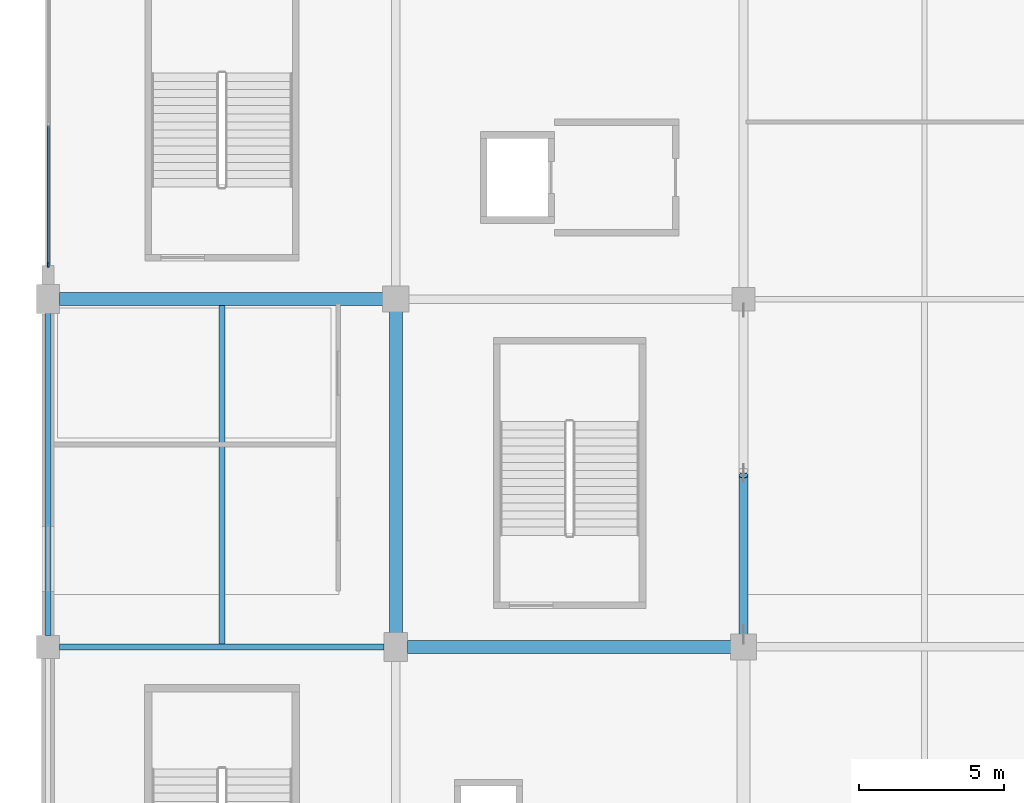
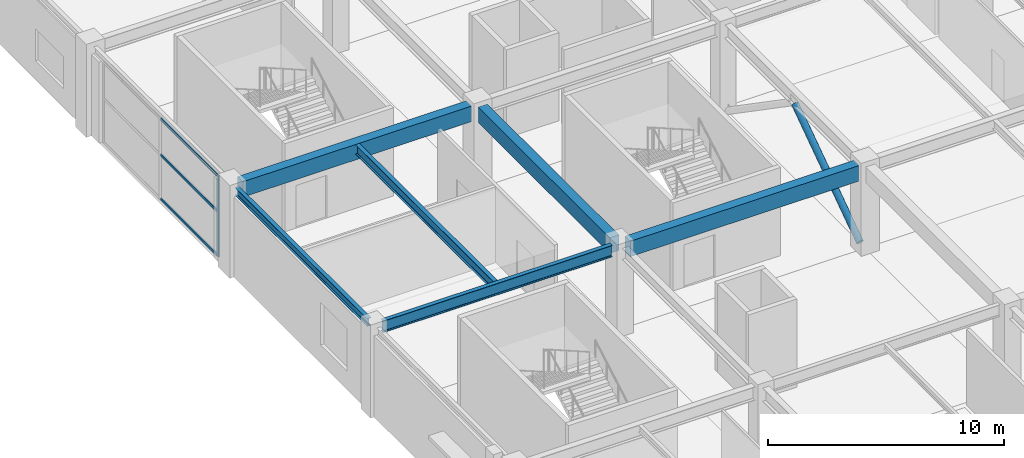
# One storey, part 21 of 134: 6 beams, 5 members, 1 element without a shape of its own.
"""IFC4 building model written with IfcOpenShell, lengths in metres."""

from ifc_helpers import new_model, si_unit, direction, frame, origin, origin_2d, place, context, subcontext, project, spatial, rectangle, hollow_circle, i_section, extrude, material, layer, layer_set, material_profile, profile_set, type_object, element, aggregate, save


model = new_model("IFC4")

# Units and contexts
model_context = context("Model", 3, precision=1e-05, world=origin(), true_north=direction((0.0, 1.0)))
body_context = subcontext(model_context, "Body", "Model", "MODEL_VIEW")
ifc_project = project(units=[si_unit("LENGTHUNIT", "METRE"), si_unit("AREAUNIT", "SQUARE_METRE"), si_unit("VOLUMEUNIT", "CUBIC_METRE"), si_unit("PLANEANGLEUNIT", "RADIAN"), si_unit("MASSUNIT", "GRAM", prefix="KILO")], contexts=[model_context])

# Site, building, storey
site_placement = place(None, origin())
site = spatial("IfcSite", under=ifc_project, at=site_placement, CompositionType="ELEMENT")
building_placement = place(site_placement, origin())
building = spatial("IfcBuilding", under=site, at=building_placement, Name="Kazenohara Klinker Stadium", CompositionType="ELEMENT")
storey_placement = place(building_placement, frame((0.0, 0.0, 5.39990234375)))
storey = spatial("IfcBuildingStorey", under=building, at=storey_placement, Name="L01", CompositionType="ELEMENT", Elevation=5.39990234375)

# Beams
ifc_material_1 = material(Name="Steel S355", Category="steel")
ifc_material_profile_1 = material_profile(ifc_material_1, i_section(OverallWidth=0.199951171875, OverallDepth=0.5, WebThickness=0.010009765625, FlangeThickness=0.01611328125, FilletRadius=0.012939453125, at=origin_2d()), Name="H-500x200x10x16")
ifc_profile_set_1 = profile_set([ifc_material_profile_1], Name="Steel S355")
beam_type_1 = type_object("IfcBeamType", Name="BM-JST01", PredefinedType="JOIST", material=ifc_profile_set_1)
beam_1_placement = place(storey_placement, frame((6.0, 96.10009765625, 4.300048828125), z_axis=(0.0, 1.0, 0.0), x_axis=(-1.0, 0.0, 0.0)))
element("IfcBeam", 1, at=beam_1_placement, inside=storey, type_object=beam_type_1, Name="Secondary floor joist SJ01 L01 1/J", PredefinedType="JOIST", context=body_context, shape_type="SweptSolid", body=[
    extrude(i_section(OverallWidth=0.199951171875, OverallDepth=0.5, WebThickness=0.010009765625, FlangeThickness=0.01611328125, FilletRadius=0.012939453125, at=origin_2d()), origin(), (0.0, 0.0, 1.0), 11.6748046875),
])
ifc_material_2 = material(Name="Concrete C40/50", Category="concrete")
ifc_material_profile_2 = material_profile(ifc_material_2, rectangle(XDim=0.449951171875, YDim=0.800048828125, at=origin_2d()), Name="RC-BM-450x800")
ifc_profile_set_2 = profile_set([ifc_material_profile_2], Name="Concrete C40/50")
beam_type_2 = type_object("IfcBeamType", Name="BM-RC03", PredefinedType="BEAM", material=ifc_profile_set_2)
for number, where, z_axis, x_axis, name in (
    (2, (0.39990234375, 108.0, 4.150146484375), (1.0, 0.0, 0.0), (0.0, 1.0, 0.0), "Primary girder BG03 L01 1-2/K"),
    (3, (12.39990234375, 96.0, 4.150146484375), (1.0, 0.0, 0.0), (0.0, 1.0, 0.0), "Primary girder BG03 L01 2-3/J"),
):
    element("IfcBeam", number, at=place(storey_placement, frame(where, z_axis=z_axis, x_axis=x_axis)), inside=storey, type_object=beam_type_2, Name=name, PredefinedType="BEAM", context=body_context, shape_type="SweptSolid", body=[
        extrude(rectangle(XDim=0.449951171875, YDim=0.800048828125, at=origin_2d()), origin(), (0.0, 0.0, 1.0), 11.18017578125),
    ])
beam_2_placement = place(storey_placement, frame((12.0, 96.419921875, 4.150146484375), z_axis=(0.0, 1.0, 0.0), x_axis=(-1.0, 0.0, 0.0)))
element("IfcBeam", 4, at=beam_2_placement, inside=storey, type_object=beam_type_2, Name="Primary girder BG03 L01 2/J-K", PredefinedType="BEAM", context=body_context, shape_type="SweptSolid", body=[
    extrude(rectangle(XDim=0.449951171875, YDim=0.800048828125, at=origin_2d()), origin(), (0.0, 0.0, 1.0), 11.16015625),
])
ifc_material_profile_3 = material_profile(ifc_material_1, i_section(OverallWidth=0.199951171875, OverallDepth=0.39990234375, WebThickness=0.008056640625, FlangeThickness=0.012939453125, FilletRadius=0.012939453125, at=origin_2d()), Name="H-400x200x8x13")
ifc_profile_set_3 = profile_set([ifc_material_profile_3], Name="Steel S355")
beam_type_3 = type_object("IfcBeamType", Name="BM-SPD01", PredefinedType="SPANDREL", material=ifc_profile_set_3)
beam_3_placement = place(storey_placement, frame((0.0, 96.39990234375, 4.35009765625), z_axis=(0.0, 1.0, 0.0), x_axis=(-1.0, 0.0, 0.0)))
element("IfcBeam", 5, at=beam_3_placement, inside=storey, type_object=beam_type_3, Name="Primary girder SP01 L01 1/J-K", PredefinedType="SPANDREL", context=body_context, shape_type="SweptSolid", body=[
    extrude(i_section(OverallWidth=0.199951171875, OverallDepth=0.39990234375, WebThickness=0.008056640625, FlangeThickness=0.012939453125, FilletRadius=0.012939453125, at=origin_2d()), origin(), (0.0, 0.0, 1.0), 11.18017578125),
])
ifc_material_profile_4 = material_profile(ifc_material_1, i_section(OverallWidth=0.199951171875, OverallDepth=0.60009765625, WebThickness=0.010986328125, FlangeThickness=0.01708984375, FilletRadius=0.012939453125, at=origin_2d()), Name="H-600x200x11x17")
ifc_profile_set_4 = profile_set([ifc_material_profile_4], Name="Steel S355")
beam_type_4 = type_object("IfcBeamType", Name="BM-ST04", PredefinedType="BEAM", material=ifc_profile_set_4)
beam_4_placement = place(storey_placement, frame((0.39990234375, 96.0, 4.25), z_axis=(1.0, 0.0, 0.0), x_axis=(0.0, 1.0, 0.0)))
element("IfcBeam", 6, at=beam_4_placement, inside=storey, type_object=beam_type_4, Name="Primary girder SB04 L01 1-2/J", PredefinedType="BEAM", context=body_context, shape_type="SweptSolid", body=[
    extrude(i_section(OverallWidth=0.199951171875, OverallDepth=0.60009765625, WebThickness=0.010986328125, FlangeThickness=0.01708984375, FilletRadius=0.012939453125, at=origin_2d()), origin(), (0.0, 0.0, 1.0), 11.2001953125),
])

# Curtain wall, members
ifc_material_3 = material(Name="Anodised aluminium and triple glazing", Category="aluminium")
ifc_layer = layer(ifc_material_3, 0.199951171875)
ifc_layer_set = layer_set([ifc_layer], Name="Anodised aluminium and triple glazing")
curtain_wall_type = type_object("IfcCurtainWallType", Name="CW-SYS-03", PredefinedType="USERDEFINED", material=ifc_layer_set)
curtain_wall_placement = place(storey_placement, origin())
curtain_wall = element("IfcCurtainWall", 7, at=curtain_wall_placement, inside=storey, type_object=curtain_wall_type, Name="Unitised facade curtain wall CW03 L01 Y0-9", ObjectType="UNITISED CURTAIN WALL", PredefinedType="USERDEFINED")
ifc_material_4 = material(Name="Anodised aluminium 6063-T6", Category="aluminium")
ifc_material_profile_5 = material_profile(ifc_material_4, rectangle(XDim=0.06494140625, YDim=0.179931640625, at=origin_2d()), Name="ALU-MUL-65x180")
ifc_profile_set_5 = profile_set([ifc_material_profile_5], Name="Anodised aluminium 6063-T6")
member_type_1 = type_object("IfcMemberType", Name="CW-MUL-180", PredefinedType="MULLION", material=ifc_profile_set_5)
member_1_placement = place(storey_placement, frame((0.0, 109.1865234375, 0.0), z_axis=(0.0, 0.0, 1.0), x_axis=(-1.0, 0.0, 0.0)))
member_1 = element("IfcMember", 8, at=member_1_placement, type_object=member_type_1, Name="CW03 mullion 1", PredefinedType="MULLION", context=body_context, shape_type="SweptSolid", body=[
    extrude(rectangle(XDim=0.06494140625, YDim=0.179931640625, at=origin_2d()), origin(), (0.0, 0.0, 1.0), 4.2001953125),
])
ifc_material_profile_6 = material_profile(ifc_material_4, rectangle(XDim=0.06494140625, YDim=0.139892578125, at=origin_2d()), Name="ALU-TRN-65x140")
ifc_profile_set_6 = profile_set([ifc_material_profile_6], Name="Anodised aluminium 6063-T6")
member_type_2 = type_object("IfcMemberType", Name="CW-TRN-140", PredefinedType="USERDEFINED", material=ifc_profile_set_6)
member_2_placement = place(storey_placement, frame((0.0, 109.218994140625, 0.03271484375), z_axis=(0.0, 1.0, 0.0), x_axis=(-1.0, 0.0, 0.0)))
member_2 = element("IfcMember", 9, at=member_2_placement, type_object=member_type_2, Name="CW03 transom 1.1", ObjectType="TRANSOM", PredefinedType="USERDEFINED", context=body_context, shape_type="SweptSolid", body=[
    extrude(rectangle(XDim=0.06494140625, YDim=0.139892578125, at=origin_2d()), origin(), (0.0, 0.0, 1.0), 4.7734375),
])
member_3_placement = place(storey_placement, frame((0.0, 109.218994140625, 2.31005859375), z_axis=(0.0, 1.0, 0.0), x_axis=(-1.0, 0.0, 0.0)))
member_3 = element("IfcMember", 10, at=member_3_placement, type_object=member_type_2, Name="CW03 transom 1.2", ObjectType="TRANSOM", PredefinedType="USERDEFINED", context=body_context, shape_type="SweptSolid", body=[
    extrude(rectangle(XDim=0.06494140625, YDim=0.139892578125, at=origin_2d()), origin(), (0.0, 0.0, 1.0), 4.7734375),
])
member_4_placement = place(storey_placement, frame((0.0, 109.218994140625, 4.16748046875), z_axis=(0.0, 1.0, 0.0), x_axis=(-1.0, 0.0, 0.0)))
member_4 = element("IfcMember", 11, at=member_4_placement, type_object=member_type_2, Name="CW03 transom 1.3", ObjectType="TRANSOM", PredefinedType="USERDEFINED", context=body_context, shape_type="SweptSolid", body=[
    extrude(rectangle(XDim=0.06494140625, YDim=0.139892578125, at=origin_2d()), origin(), (0.0, 0.0, 1.0), 4.7734375),
])
aggregate(curtain_wall, [member_1, member_2, member_3, member_4])

# Member
ifc_material_profile_7 = material_profile(ifc_material_1, hollow_circle(Radius=0.1591796875, WallThickness=0.010009765625, at=origin_2d()), Name="CHS-318.5x10")
ifc_profile_set_7 = profile_set([ifc_material_profile_7], Name="Steel S355")
member_type_3 = type_object("IfcMemberType", Name="MEM-BRC04", PredefinedType="BRACE", material=ifc_profile_set_7)
member_5_placement = place(storey_placement, frame((24.0, 96.429931640625, 0.050048828125), z_axis=(0.0, 0.820838979681, 0.571159670702), x_axis=(-1.0, 0.0, 0.0)))
element("IfcMember", 12, at=member_5_placement, inside=storey, type_object=member_type_3, Name="Concentric brace BR04 L01 3/J A", PredefinedType="BRACE", context=body_context, shape_type="SweptSolid", body=[
    extrude(hollow_circle(Radius=0.1591796875, WallThickness=0.010009765625, at=origin_2d()), origin(), (0.0, 0.0, 1.0), 6.688232421875),
])

save(model, "model.ifc")
